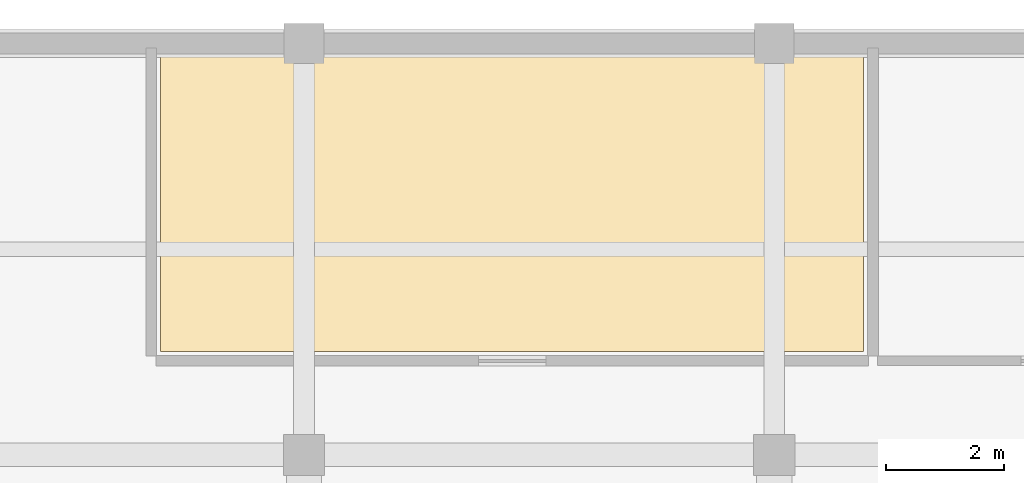
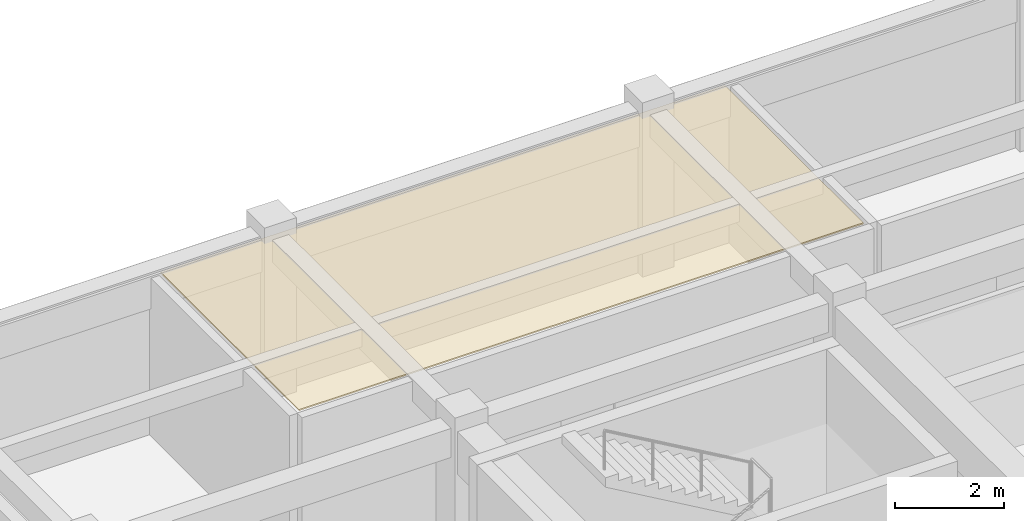
# One storey, part 66 of 66: 1 covering.
"""IFC4 building model written with IfcOpenShell, lengths in metres."""

from ifc_helpers import new_model, si_unit, direction, frame, origin, place, context, subcontext, project, spatial, polyline, outline, extrude, material, layer, layer_set, type_object, element, save


model = new_model("IFC4")

# Units and contexts
model_context = context("Model", 3, precision=1e-05, world=origin(), true_north=direction((0.0, 1.0)))
body_context = subcontext(model_context, "Body", "Model", "MODEL_VIEW")
ifc_project = project(units=[si_unit("LENGTHUNIT", "METRE"), si_unit("AREAUNIT", "SQUARE_METRE"), si_unit("VOLUMEUNIT", "CUBIC_METRE"), si_unit("PLANEANGLEUNIT", "RADIAN"), si_unit("MASSUNIT", "GRAM", prefix="KILO")], contexts=[model_context])

# Site, building, storey
site_placement = place(None, origin())
site = spatial("IfcSite", under=ifc_project, at=site_placement, CompositionType="ELEMENT")
building_placement = place(site_placement, origin())
building = spatial("IfcBuilding", under=site, at=building_placement, Name="Naurynzar Civic Courthouse", CompositionType="ELEMENT")
storey_placement = place(building_placement, frame((0.0, 0.0, 14.39990234375)))
storey = spatial("IfcBuildingStorey", under=building, at=storey_placement, Name="L04", CompositionType="ELEMENT", Elevation=14.39990234375)

# Covering
ifc_material = material(Name="Mineral Fibre Acoustic Ceiling")
ifc_layer = layer(ifc_material, 0.030029296875)
ifc_layer_set = layer_set([ifc_layer], Name="CEIL-MINERAL-30")
covering_type = type_object("IfcCoveringType", Name="CEIL-MINERAL-30", PredefinedType="CEILING", material=ifc_layer_set)
covering_placement = place(storey_placement, frame((0.0, 0.0, 3.51513671875)))
element("IfcCovering", 1, at=covering_placement, inside=storey, type_object=covering_type, Name="Acoustic suspended ceiling Jury Room L04-N", PredefinedType="CEILING", context=body_context, shape_type="SweptSolid", body=[
    extrude(outline(polyline([(135.56005859375, 66.760009765625), (135.56005859375, 71.840087890625), (147.51708984375, 71.840087890625), (147.51708984375, 66.760009765625), (135.56005859375, 66.760009765625)])), origin(), (0.0, 0.0, 1.0), 0.030029296875),
])

save(model, "model.ifc")
